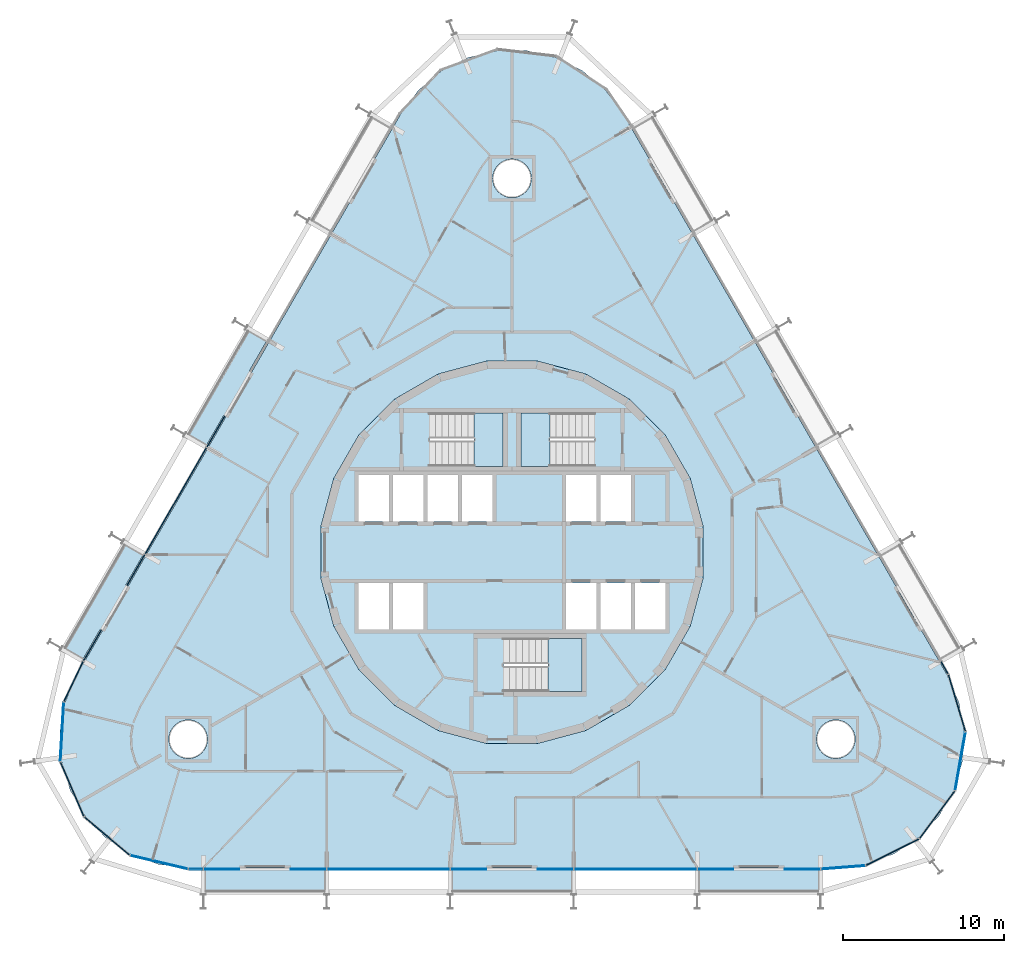
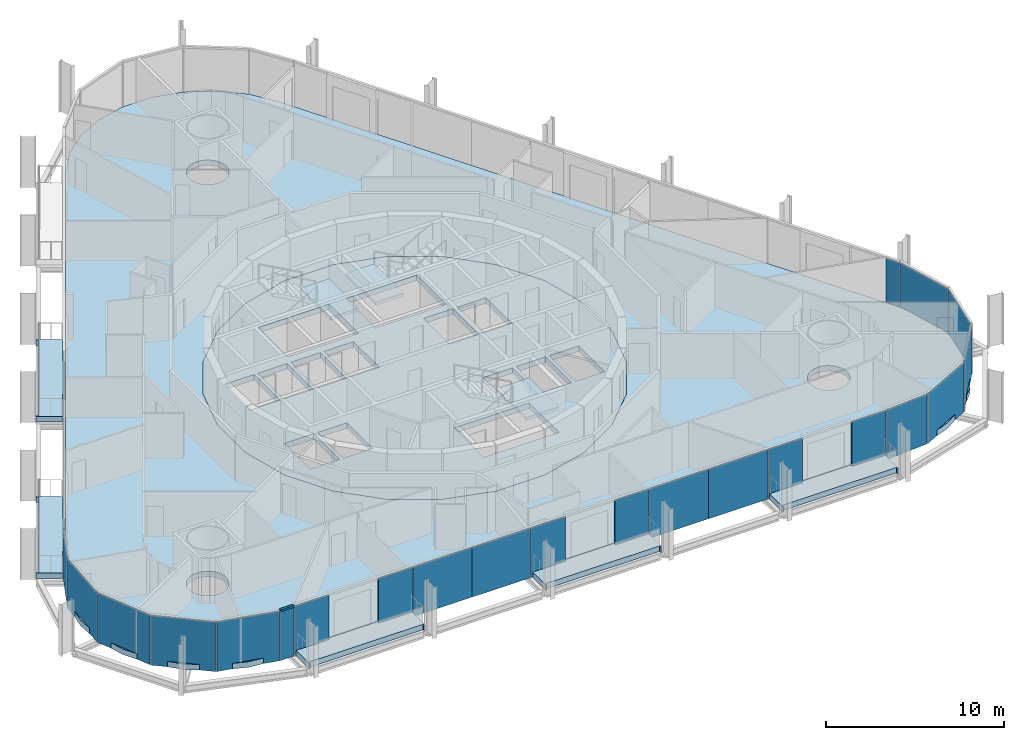
# One storey, part 11 of 21: 27 plates, 10 slabs, 1 member, 7 elements without a shape of their own.
"""IFC4 building model written with IfcOpenShell, lengths in metres."""

from ifc_helpers import new_model, si_unit, direction, frame, origin, origin_2d, place, context, subcontext, project, spatial, polyline, rectangle, outline, extrude, material, layer, layer_set, material_profile, profile_set, type_object, element, aggregate, save


model = new_model("IFC4")

# Units and contexts
model_context = context("Model", 3, precision=1e-05, world=origin(), true_north=direction((0.0, 1.0)))
body_context = subcontext(model_context, "Body", "Model", "MODEL_VIEW")
ifc_project = project(units=[si_unit("LENGTHUNIT", "METRE"), si_unit("AREAUNIT", "SQUARE_METRE"), si_unit("VOLUMEUNIT", "CUBIC_METRE"), si_unit("PLANEANGLEUNIT", "RADIAN"), si_unit("MASSUNIT", "GRAM", prefix="KILO")], contexts=[model_context])

# Site, building, storey
site_placement = place(None, origin())
site = spatial("IfcSite", under=ifc_project, at=site_placement, CompositionType="ELEMENT")
building_placement = place(site_placement, origin())
building = spatial("IfcBuilding", under=site, at=building_placement, Name="Spindle Arch Residences", CompositionType="ELEMENT")
storey_placement = place(building_placement, frame((0.0, 0.0, 62.89990234375)))
storey = spatial("IfcBuildingStorey", under=building, at=storey_placement, Name="L14", CompositionType="ELEMENT", Elevation=62.89990234375)

# Curtain wall, member
ifc_material_1 = material(Name="Aluminium bronze unitised frame with tinted glass", Category="aluminium")
ifc_layer_1 = layer(ifc_material_1, 0.159912109375)
ifc_layer_set_1 = layer_set([ifc_layer_1], Name="CW-D corner wall on the fillet arcs")
curtain_wall_type_1 = type_object("IfcCurtainWallType", Name="CW-D corner wall on the fillet arcs", PredefinedType="NOTDEFINED", material=ifc_layer_set_1)
curtain_wall_1_placement = place(storey_placement, origin())
curtain_wall_1 = element("IfcCurtainWall", 1, at=curtain_wall_1_placement, inside=storey, type_object=curtain_wall_type_1, Name="CW-D L14 run 5", PredefinedType="NOTDEFINED")
ifc_material_2 = material(Name="Aluminium bronze anodised transom", Category="aluminium")
ifc_material_profile = material_profile(ifc_material_2, rectangle(XDim=0.159912109375, YDim=0.1201171875, at=origin_2d()), Name="TR 120x160")
ifc_profile_set = profile_set([ifc_material_profile], Name="Aluminium bronze anodised transom")
member_type = type_object("IfcMemberType", Name="Bronze transom 120x160", PredefinedType="USERDEFINED", material=ifc_profile_set)
member_placement = place(storey_placement, frame((-20.113525390625, -19.7099609375, 3.06005859375), z_axis=(1.0, 0.0, 0.0), x_axis=(0.0, 1.0, 0.0)))
member = element("IfcMember", 2, at=member_placement, type_object=member_type, Name="CW-D transom 05", ObjectType="TRANSOM", PredefinedType="USERDEFINED", context=body_context, shape_type="SweptSolid", body=[
    extrude(rectangle(XDim=0.159912109375, YDim=0.1201171875, at=origin_2d()), origin(), (0.0, 0.0, 1.0), 0.88330078125),
])

# Slabs
ifc_material_3 = material(Name="Concrete C40/50", Category="concrete")
ifc_layer_2 = layer(ifc_material_3, 0.3798828125)
ifc_layer_set_2 = layer_set([ifc_layer_2], Name="Balcony slab 380")
slab_type_1 = type_object("IfcSlabType", Name="Balcony slab 380", PredefinedType="FLOOR", material=ifc_layer_set_2)
slab_1_placement = place(storey_placement, frame((0.0, 0.0, -0.3798828125)))
element("IfcSlab", 3, at=slab_1_placement, inside=storey, type_object=slab_type_1, Name="Balcony L14 bay 2", PredefinedType="FLOOR", context=body_context, shape_type="SweptSolid", body=[
    extrude(outline(polyline([(11.59521484375, -21.280029296875), (11.670166015625, -21.280029296875), (11.670166015625, -21.1298828125), (19.05029296875, -21.1298828125), (19.05029296875, -21.280029296875), (19.125244140625, -21.280029296875), (19.125244140625, -19.789794921875), (16.960205078125, -19.789794921875), (16.960205078125, -19.6298828125), (13.76025390625, -19.6298828125), (13.76025390625, -19.789794921875), (11.59521484375, -19.789794921875), (11.59521484375, -21.280029296875)])), origin(), (0.0, 0.0, 1.0), 0.3798828125),
])
slab_2_placement = place(storey_placement, frame((0.0, 0.0, -0.3798828125)))
element("IfcSlab", 4, at=slab_2_placement, inside=storey, type_object=slab_type_1, Name="Balcony L14 bay 16", PredefinedType="FLOOR", context=body_context, shape_type="SweptSolid", body=[
    extrude(outline(polyline([(-16.54638671875, 13.900634765625), (-16.583984375, 13.835693359375), (-16.4541015625, 13.760498046875), (-20.14404296875, 7.369384765625), (-20.27392578125, 7.4443359375), (-20.3115234375, 7.37939453125), (-19.02099609375, 6.63427734375), (-17.9384765625, 8.50927734375), (-17.800048828125, 8.42919921875), (-16.199951171875, 11.20068359375), (-16.338623046875, 11.280517578125), (-15.256103515625, 13.155517578125), (-16.54638671875, 13.900634765625)])), origin(), (0.0, 0.0, 1.0), 0.3798828125),
])
slab_3_placement = place(storey_placement, frame((0.0, 0.0, -0.3798828125)))
element("IfcSlab", 5, at=slab_3_placement, inside=storey, type_object=slab_type_1, Name="Balcony L14 bay 18", PredefinedType="FLOOR", context=body_context, shape_type="SweptSolid", body=[
    extrude(outline(polyline([(-24.2265625, 0.598388671875), (-24.263916015625, 0.533447265625), (-24.134033203125, 0.458251953125), (-27.82421875, -5.93310546875), (-27.9541015625, -5.85791015625), (-27.991455078125, -5.9228515625), (-26.701171875, -6.66796875), (-25.61865234375, -4.79296875), (-25.47998046875, -4.873046875), (-23.880126953125, -2.1015625), (-24.0185546875, -2.021728515625), (-22.93603515625, -0.146728515625), (-24.2265625, 0.598388671875)])), origin(), (0.0, 0.0, 1.0), 0.3798828125),
])
slab_4_placement = place(storey_placement, frame((0.0, 0.0, -0.3798828125)))
element("IfcSlab", 6, at=slab_4_placement, inside=storey, type_object=slab_type_1, Name="Balcony L14 bay 22", PredefinedType="FLOOR", context=body_context, shape_type="SweptSolid", body=[
    extrude(outline(polyline([(-19.125244140625, -21.280029296875), (-19.05029296875, -21.280029296875), (-19.05029296875, -21.1298828125), (-11.670166015625, -21.1298828125), (-11.670166015625, -21.280029296875), (-11.59521484375, -21.280029296875), (-11.59521484375, -19.789794921875), (-13.76025390625, -19.789794921875), (-13.76025390625, -19.6298828125), (-16.960205078125, -19.6298828125), (-16.960205078125, -19.789794921875), (-19.125244140625, -19.789794921875), (-19.125244140625, -21.280029296875)])), origin(), (0.0, 0.0, 1.0), 0.3798828125),
])
slab_5_placement = place(storey_placement, frame((0.0, 0.0, -0.3798828125)))
element("IfcSlab", 7, at=slab_5_placement, inside=storey, type_object=slab_type_1, Name="Balcony L14 bay 24", PredefinedType="FLOOR", context=body_context, shape_type="SweptSolid", body=[
    extrude(outline(polyline([(-3.76513671875, -21.280029296875), (-3.68994140625, -21.280029296875), (-3.68994140625, -21.1298828125), (3.68994140625, -21.1298828125), (3.68994140625, -21.280029296875), (3.76513671875, -21.280029296875), (3.76513671875, -19.789794921875), (1.60009765625, -19.789794921875), (1.60009765625, -19.6298828125), (-1.60009765625, -19.6298828125), (-1.60009765625, -19.789794921875), (-3.76513671875, -19.789794921875), (-3.76513671875, -21.280029296875)])), origin(), (0.0, 0.0, 1.0), 0.3798828125),
])
ifc_material_4 = material(Name="Concrete C50/60", Category="concrete")
ifc_layer_3 = layer(ifc_material_4, 0.3798828125)
ifc_layer_set_3 = layer_set([ifc_layer_3], Name="Core floor slab 380")
slab_type_2 = type_object("IfcSlabType", Name="Core floor slab 380", PredefinedType="FLOOR", material=ifc_layer_set_3)
slab_6_placement = place(storey_placement, frame((0.0, 0.0, -0.3798828125)))
element("IfcSlab", 8, at=slab_6_placement, inside=storey, type_object=slab_type_2, Name="Core floor L14", PredefinedType="FLOOR", context=body_context, shape_type="SweptSolid", body=[
    extrude(outline(polyline([(1.56640625, -11.897216796875), (4.59228515625, -11.086669921875), (7.30517578125, -9.520263671875), (9.520263671875, -7.30517578125), (11.086669921875, -4.59228515625), (11.897216796875, -1.56640625), (11.897216796875, 1.56640625), (11.086669921875, 4.59228515625), (9.520263671875, 7.30517578125), (7.30517578125, 9.520263671875), (4.59228515625, 11.086669921875), (1.56640625, 11.897216796875), (-1.56640625, 11.897216796875), (-4.59228515625, 11.086669921875), (-7.30517578125, 9.520263671875), (-9.520263671875, 7.30517578125), (-11.086669921875, 4.59228515625), (-11.897216796875, 1.56640625), (-11.897216796875, -1.56640625), (-11.086669921875, -4.59228515625), (-9.520263671875, -7.30517578125), (-7.30517578125, -9.520263671875), (-4.59228515625, -11.086669921875), (-1.56640625, -11.897216796875), (1.56640625, -11.897216796875)]), holes=[polyline([(-9.550048828125, 1.89990234375), (-7.64990234375, 1.89990234375), (-7.64990234375, 4.800048828125), (-9.550048828125, 4.800048828125), (-9.550048828125, 1.89990234375)]), polyline([(-7.39990234375, 1.89990234375), (-5.5, 1.89990234375), (-5.5, 4.800048828125), (-7.39990234375, 4.800048828125), (-7.39990234375, 1.89990234375)]), polyline([(-5.25, 1.89990234375), (-3.35009765625, 1.89990234375), (-3.35009765625, 4.800048828125), (-5.25, 4.800048828125), (-5.25, 1.89990234375)]), polyline([(-3.10009765625, 1.89990234375), (-1.199951171875, 1.89990234375), (-1.199951171875, 4.800048828125), (-3.10009765625, 4.800048828125), (-3.10009765625, 1.89990234375)]), polyline([(3.35009765625, 1.89990234375), (5.25, 1.89990234375), (5.25, 4.800048828125), (3.35009765625, 4.800048828125), (3.35009765625, 1.89990234375)]), polyline([(5.5, 1.89990234375), (7.39990234375, 1.89990234375), (7.39990234375, 4.800048828125), (5.5, 4.800048828125), (5.5, 1.89990234375)]), polyline([(-9.550048828125, -4.800048828125), (-7.64990234375, -4.800048828125), (-7.64990234375, -1.89990234375), (-9.550048828125, -1.89990234375), (-9.550048828125, -4.800048828125)]), polyline([(-7.39990234375, -4.800048828125), (-5.5, -4.800048828125), (-5.5, -1.89990234375), (-7.39990234375, -1.89990234375), (-7.39990234375, -4.800048828125)]), polyline([(3.35009765625, -4.800048828125), (5.25, -4.800048828125), (5.25, -1.89990234375), (3.35009765625, -1.89990234375), (3.35009765625, -4.800048828125)]), polyline([(5.5, -4.800048828125), (7.39990234375, -4.800048828125), (7.39990234375, -1.89990234375), (5.5, -1.89990234375), (5.5, -4.800048828125)]), polyline([(7.64990234375, -4.800048828125), (9.550048828125, -4.800048828125), (9.550048828125, -1.89990234375), (7.64990234375, -1.89990234375), (7.64990234375, -4.800048828125)]), polyline([(5.1298828125, 8.669921875), (0.550048828125, 8.669921875), (0.550048828125, 5.35009765625), (5.1298828125, 5.35009765625), (5.1298828125, 8.669921875)]), polyline([(-5.1298828125, 5.35009765625), (-0.550048828125, 5.35009765625), (-0.550048828125, 8.669921875), (-5.1298828125, 8.669921875), (-5.1298828125, 5.35009765625)]), polyline([(-0.530029296875, -8.669921875), (4.35009765625, -8.669921875), (4.35009765625, -5.35009765625), (-0.530029296875, -5.35009765625), (-0.530029296875, -8.669921875)])]), origin(), (0.0, 0.0, 1.0), 0.3798828125),
])

# Stair, slab
ifc_material_5 = material(Name="Concrete C50/60", Category="concrete")
stair_type = type_object("IfcStairType", Name="Exit stair 16 risers", PredefinedType="HALF_TURN_STAIR", material=ifc_material_5)
stair_1_placement = place(storey_placement, origin())
stair_1 = element("IfcStair", 9, at=stair_1_placement, inside=storey, type_object=stair_type, Name="L14 Exit stair ST1", PredefinedType="HALF_TURN_STAIR")
ifc_material_6 = material(Name="Concrete C50/60", Category="concrete")
ifc_layer_4 = layer(ifc_material_6, 0.219970703125)
ifc_layer_set_4 = layer_set([ifc_layer_4], Name="Exit stair landing 220")
slab_type_3 = type_object("IfcSlabType", Name="Exit stair landing 220", PredefinedType="LANDING", material=ifc_layer_set_4)
slab_7_placement = place(storey_placement, frame((0.0, 0.0, 1.530029296875)))
slab_7 = element("IfcSlab", 10, at=slab_7_placement, type_object=slab_type_3, Name="ST1 landing 1", PredefinedType="LANDING", context=body_context, shape_type="SweptSolid", body=[
    extrude(outline(polyline([(2.3701171875, 8.669921875), (0.550048828125, 8.669921875), (0.550048828125, 5.35009765625), (2.3701171875, 5.35009765625), (2.3701171875, 8.669921875)])), origin(), (0.0, 0.0, 1.0), 0.219970703125),
])
aggregate(stair_1, [slab_7])

stair_2_placement = place(storey_placement, origin())
stair_2 = element("IfcStair", 11, at=stair_2_placement, inside=storey, type_object=stair_type, Name="L14 Exit stair ST2", PredefinedType="HALF_TURN_STAIR")
slab_8_placement = place(storey_placement, frame((0.0, 0.0, 1.530029296875)))
slab_8 = element("IfcSlab", 12, at=slab_8_placement, type_object=slab_type_3, Name="ST2 landing 1", PredefinedType="LANDING", context=body_context, shape_type="SweptSolid", body=[
    extrude(outline(polyline([(-2.3701171875, 5.35009765625), (-0.550048828125, 5.35009765625), (-0.550048828125, 8.669921875), (-2.3701171875, 8.669921875), (-2.3701171875, 5.35009765625)])), origin(), (0.0, 0.0, 1.0), 0.219970703125),
])
aggregate(stair_2, [slab_8])

stair_3_placement = place(storey_placement, origin())
stair_3 = element("IfcStair", 13, at=stair_3_placement, inside=storey, type_object=stair_type, Name="L14 Exit stair ST3", PredefinedType="HALF_TURN_STAIR")
slab_9_placement = place(storey_placement, frame((0.0, 0.0, 1.530029296875)))
slab_9 = element("IfcSlab", 14, at=slab_9_placement, type_object=slab_type_3, Name="ST3 landing 1", PredefinedType="LANDING", context=body_context, shape_type="SweptSolid", body=[
    extrude(outline(polyline([(2.22998046875, -8.669921875), (4.35009765625, -8.669921875), (4.35009765625, -5.35009765625), (2.22998046875, -5.35009765625), (2.22998046875, -8.669921875)])), origin(), (0.0, 0.0, 1.0), 0.219970703125),
])
aggregate(stair_3, [slab_9])

# Slab
ifc_material_7 = material(Name="Concrete C40/50", Category="concrete")
ifc_layer_5 = layer(ifc_material_7, 0.3798828125)
ifc_layer_set_5 = layer_set([ifc_layer_5], Name="Floor slab 380")
slab_type_4 = type_object("IfcSlabType", Name="Floor slab 380", PredefinedType="FLOOR", material=ifc_layer_set_5)
slab_10_placement = place(storey_placement, frame((0.0, 0.0, -0.3798828125)))
element("IfcSlab", 15, at=slab_10_placement, inside=storey, type_object=slab_type_4, Name="Floor slab L14", PredefinedType="FLOOR", context=body_context, shape_type="SweptSolid", body=[
    extrude(outline(polyline([(-21.988525390625, -19.414306640625), (-23.73388671875, -18.779052734375), (-25.285888671875, -17.75830078125), (-26.560546875, -16.4072265625), (-27.4892578125, -14.798583984375), (-28.022216796875, -13.01904296875), (-28.130126953125, -11.164794921875), (-27.8076171875, -9.33544921875), (-27.07177734375, -7.6298828125), (-6.92822265625, 27.259765625), (-5.819091796875, 28.749755859375), (-4.39599609375, 29.943603515625), (-2.736083984375, 30.77734375), (-0.9287109375, 31.205810546875), (0.9287109375, 31.205810546875), (2.736083984375, 30.77734375), (4.39599609375, 29.943603515625), (5.819091796875, 28.749755859375), (6.92822265625, 27.259765625), (27.07177734375, -7.6298828125), (27.8076171875, -9.33544921875), (28.130126953125, -11.164794921875), (28.022216796875, -13.01904296875), (27.4892578125, -14.798583984375), (26.560546875, -16.4072265625), (25.285888671875, -17.75830078125), (23.73388671875, -18.779052734375), (21.988525390625, -19.414306640625), (20.1435546875, -19.6298828125), (0.0, -19.6298828125), (-20.1435546875, -19.6298828125), (-21.988525390625, -19.414306640625)]), holes=[polyline([(7.30517578125, -9.520263671875), (9.520263671875, -7.30517578125), (11.086669921875, -4.59228515625), (11.897216796875, -1.56640625), (11.897216796875, 1.56640625), (11.086669921875, 4.59228515625), (9.520263671875, 7.30517578125), (7.30517578125, 9.520263671875), (4.59228515625, 11.086669921875), (1.56640625, 11.897216796875), (-1.56640625, 11.897216796875), (-4.59228515625, 11.086669921875), (-7.30517578125, 9.520263671875), (-9.520263671875, 7.30517578125), (-11.086669921875, 4.59228515625), (-11.897216796875, 1.56640625), (-11.897216796875, -1.56640625), (-11.086669921875, -4.59228515625), (-9.520263671875, -7.30517578125), (-7.30517578125, -9.520263671875), (-4.59228515625, -11.086669921875), (-1.56640625, -11.897216796875), (1.56640625, -11.897216796875), (4.59228515625, -11.086669921875), (7.30517578125, -9.520263671875)]), polyline([(-19.295166015625, -12.478515625), (-19.145751953125, -12.296630859375), (-19.034912109375, -12.089111328125), (-18.966796875, -11.864013671875), (-18.943603515625, -11.6298828125), (-18.966796875, -11.395751953125), (-19.034912109375, -11.170654296875), (-19.145751953125, -10.963134765625), (-19.295166015625, -10.781494140625), (-19.476806640625, -10.632080078125), (-19.684326171875, -10.521240234375), (-19.909423828125, -10.452880859375), (-20.1435546875, -10.429931640625), (-20.377685546875, -10.452880859375), (-20.602783203125, -10.521240234375), (-20.810302734375, -10.632080078125), (-20.9921875, -10.781494140625), (-21.141357421875, -10.963134765625), (-21.252197265625, -11.170654296875), (-21.320556640625, -11.395751953125), (-21.343505859375, -11.6298828125), (-21.320556640625, -11.864013671875), (-21.252197265625, -12.089111328125), (-21.141357421875, -12.296630859375), (-20.9921875, -12.478515625), (-20.810302734375, -12.627685546875), (-20.602783203125, -12.738525390625), (-20.377685546875, -12.806884765625), (-20.1435546875, -12.829833984375), (-19.909423828125, -12.806884765625), (-19.684326171875, -12.738525390625), (-19.476806640625, -12.627685546875), (-19.295166015625, -12.478515625)]), polyline([(0.848388671875, 22.411376953125), (0.997802734375, 22.593017578125), (1.108642578125, 22.800537109375), (1.177001953125, 23.025634765625), (1.199951171875, 23.259765625), (1.177001953125, 23.493896484375), (1.108642578125, 23.718994140625), (0.997802734375, 23.926513671875), (0.848388671875, 24.1083984375), (0.666748046875, 24.257568359375), (0.459228515625, 24.368408203125), (0.234130859375, 24.436767578125), (0.0, 24.459716796875), (-0.234130859375, 24.436767578125), (-0.459228515625, 24.368408203125), (-0.666748046875, 24.257568359375), (-0.848388671875, 24.1083984375), (-0.997802734375, 23.926513671875), (-1.108642578125, 23.718994140625), (-1.177001953125, 23.493896484375), (-1.199951171875, 23.259765625), (-1.177001953125, 23.025634765625), (-1.108642578125, 22.800537109375), (-0.997802734375, 22.593017578125), (-0.848388671875, 22.411376953125), (-0.666748046875, 22.261962890625), (-0.459228515625, 22.151123046875), (-0.234130859375, 22.0830078125), (0.0, 22.059814453125), (0.234130859375, 22.0830078125), (0.459228515625, 22.151123046875), (0.666748046875, 22.261962890625), (0.848388671875, 22.411376953125)]), polyline([(20.9921875, -12.478515625), (21.141357421875, -12.296630859375), (21.252197265625, -12.089111328125), (21.320556640625, -11.864013671875), (21.343505859375, -11.6298828125), (21.320556640625, -11.395751953125), (21.252197265625, -11.170654296875), (21.141357421875, -10.963134765625), (20.9921875, -10.781494140625), (20.810302734375, -10.632080078125), (20.602783203125, -10.521240234375), (20.377685546875, -10.452880859375), (20.1435546875, -10.429931640625), (19.909423828125, -10.452880859375), (19.684326171875, -10.521240234375), (19.476806640625, -10.632080078125), (19.295166015625, -10.781494140625), (19.145751953125, -10.963134765625), (19.034912109375, -11.170654296875), (18.966796875, -11.395751953125), (18.943603515625, -11.6298828125), (18.966796875, -11.864013671875), (19.034912109375, -12.089111328125), (19.145751953125, -12.296630859375), (19.295166015625, -12.478515625), (19.476806640625, -12.627685546875), (19.684326171875, -12.738525390625), (19.909423828125, -12.806884765625), (20.1435546875, -12.829833984375), (20.377685546875, -12.806884765625), (20.602783203125, -12.738525390625), (20.810302734375, -12.627685546875), (20.9921875, -12.478515625)])]), origin(), (0.0, 0.0, 1.0), 0.3798828125),
])

# Curtain wall, plates
curtain_wall_2_placement = place(storey_placement, origin())
curtain_wall_2 = element("IfcCurtainWall", 16, at=curtain_wall_2_placement, inside=storey, type_object=curtain_wall_type_1, Name="CW-D L14 run 1", PredefinedType="NOTDEFINED")
ifc_material_8 = material(Name="Tinted double glazing over aluminium faced non-combustible spandrel zone (K0)", Category="aluminium")
ifc_layer_6 = layer(ifc_material_8, 0.06005859375)
ifc_layer_set_6 = layer_set([ifc_layer_6], Name="Unitised glass panel with E 60 spandrel zone")
plate_type = type_object("IfcPlateType", Name="Unitised glass panel with E 60 spandrel zone", PredefinedType="CURTAIN_PANEL", material=ifc_layer_set_6)
plate_1_placement = place(storey_placement, frame((20.603515625, -19.60107421875, -0.3798828125), z_axis=(0.0, 0.0, 1.0), x_axis=(0.997002907861, 0.077364085451, 0.0)))
plate_1 = element("IfcPlate", 17, at=plate_1_placement, type_object=plate_type, Name="CW-D unit 00", PredefinedType="CURTAIN_PANEL", context=body_context, shape_type="SweptSolid", body=[
    extrude(rectangle(XDim=2.755126953125, YDim=0.06005859375, at=origin_2d()), origin(), (0.0, 0.0, 1.0), 3.3798828125),
])
plate_2_placement = place(storey_placement, frame((23.672119140625, -18.65576171875, -0.3798828125), z_axis=(0.0, 0.0, 1.0), x_axis=(0.893632642326, 0.448799176213, 0.0)))
plate_2 = element("IfcPlate", 18, at=plate_2_placement, type_object=plate_type, Name="CW-D unit 01", PredefinedType="CURTAIN_PANEL", context=body_context, shape_type="SweptSolid", body=[
    extrude(rectangle(XDim=3.666748046875, YDim=0.06005859375, at=origin_2d()), origin(), (0.0, 0.0, 1.0), 3.3798828125),
])
plate_3_placement = place(storey_placement, frame((26.449951171875, -16.324951171875, -0.3798828125), z_axis=(0.0, 0.0, 1.0), x_axis=(0.597158595823, 0.802123189687, 0.0)))
plate_3 = element("IfcPlate", 19, at=plate_3_placement, type_object=plate_type, Name="CW-D unit 02", PredefinedType="CURTAIN_PANEL", context=body_context, shape_type="SweptSolid", body=[
    extrude(rectangle(XDim=3.666748046875, YDim=0.06005859375, at=origin_2d()), origin(), (0.0, 0.0, 1.0), 3.3798828125),
])
plate_4_placement = place(storey_placement, frame((27.88623046875, -12.9951171875, -0.3798828125), z_axis=(0.0, 0.0, 1.0), x_axis=(0.173648181019, 0.984807752421, 0.0)))
plate_4 = element("IfcPlate", 20, at=plate_4_placement, type_object=plate_type, Name="CW-D unit 03", PredefinedType="CURTAIN_PANEL", context=body_context, shape_type="SweptSolid", body=[
    extrude(rectangle(XDim=3.666748046875, YDim=0.06005859375, at=origin_2d()), origin(), (0.0, 0.0, 1.0), 3.3798828125),
])
plate_5_placement = place(storey_placement, frame((27.675537109375, -9.375, -0.3798828125), z_axis=(0.0, 0.0, 1.0), x_axis=(-0.28680323051, 0.957989512975, 0.0)))
plate_5 = element("IfcPlate", 21, at=plate_5_placement, type_object=plate_type, Name="CW-D unit 04", PredefinedType="CURTAIN_PANEL", context=body_context, shape_type="SweptSolid", body=[
    extrude(rectangle(XDim=3.666748046875, YDim=0.06005859375, at=origin_2d()), origin(), (0.0, 0.0, 1.0), 3.3798828125),
])
plate_6_placement = place(storey_placement, frame((26.9052734375, -7.181396484375, -0.3798828125), z_axis=(0.0, 0.0, 1.0), x_axis=(-0.5, 0.866025403784, 0.0)))
plate_6 = element("IfcPlate", 22, at=plate_6_placement, type_object=plate_type, Name="CW-D unit 05", PredefinedType="CURTAIN_PANEL", context=body_context, shape_type="SweptSolid", body=[
    extrude(rectangle(XDim=0.88330078125, YDim=0.06005859375, at=origin_2d()), origin(), (0.0, 0.0, 1.0), 3.3798828125),
])
aggregate(curtain_wall_2, [plate_1, plate_2, plate_3, plate_4, plate_5, plate_6])

ifc_material_9 = material(Name="Aluminium bronze unitised frame with tinted glass", Category="aluminium")
ifc_layer_7 = layer(ifc_material_9, 0.159912109375)
ifc_layer_set_7 = layer_set([ifc_layer_7], Name="CW-C typical residential unitised wall")
curtain_wall_type_2 = type_object("IfcCurtainWallType", Name="CW-C typical residential unitised wall", PredefinedType="NOTDEFINED", material=ifc_layer_set_7)
curtain_wall_3_placement = place(storey_placement, origin())
curtain_wall_3 = element("IfcCurtainWall", 23, at=curtain_wall_3_placement, inside=storey, type_object=curtain_wall_type_2, Name="CW-C L14 run 4", PredefinedType="NOTDEFINED")
plate_7_placement = place(storey_placement, frame((-18.421875, 7.512451171875, -0.3798828125), z_axis=(0.0, 0.0, 1.0), x_axis=(-0.5, -0.866025403784, 0.0)))
plate_7 = element("IfcPlate", 24, at=plate_7_placement, type_object=plate_type, Name="CW-C unit 15R", PredefinedType="CURTAIN_PANEL", context=body_context, shape_type="SweptSolid", body=[
    extrude(rectangle(XDim=2.2099609375, YDim=0.06005859375, at=origin_2d()), origin(), (0.0, 0.0, 1.0), 3.3798828125),
])
plate_8_placement = place(storey_placement, frame((-19.956787109375, 4.853515625, -0.3798828125), z_axis=(0.0, 0.0, 1.0), x_axis=(-0.5, -0.866025403784, 0.0)))
plate_8 = element("IfcPlate", 25, at=plate_8_placement, type_object=plate_type, Name="CW-C unit 16A", PredefinedType="CURTAIN_PANEL", context=body_context, shape_type="SweptSolid", body=[
    extrude(rectangle(XDim=3.81005859375, YDim=0.06005859375, at=origin_2d()), origin(), (0.0, 0.0, 1.0), 3.3798828125),
])
plate_9_placement = place(storey_placement, frame((-21.86181640625, 1.553955078125, -0.3798828125), z_axis=(0.0, 0.0, 1.0), x_axis=(-0.5, -0.866025403784, 0.0)))
plate_9 = element("IfcPlate", 26, at=plate_9_placement, type_object=plate_type, Name="CW-C unit 16B", PredefinedType="CURTAIN_PANEL", context=body_context, shape_type="SweptSolid", body=[
    extrude(rectangle(XDim=3.81005859375, YDim=0.06005859375, at=origin_2d()), origin(), (0.0, 0.0, 1.0), 3.3798828125),
])
plate_10_placement = place(storey_placement, frame((-23.396728515625, -1.104736328125, -0.3798828125), z_axis=(0.0, 0.0, 1.0), x_axis=(-0.5, -0.866025403784, 0.0)))
plate_10 = element("IfcPlate", 27, at=plate_10_placement, type_object=plate_type, Name="CW-C unit 17L", PredefinedType="CURTAIN_PANEL", context=body_context, shape_type="SweptSolid", body=[
    extrude(rectangle(XDim=2.2099609375, YDim=0.06005859375, at=origin_2d()), origin(), (0.0, 0.0, 1.0), 3.3798828125),
])
plate_11_placement = place(storey_placement, frame((-26.101806640625, -5.7900390625, -0.3798828125), z_axis=(0.0, 0.0, 1.0), x_axis=(-0.5, -0.866025403784, 0.0)))
plate_11 = element("IfcPlate", 28, at=plate_11_placement, type_object=plate_type, Name="CW-C unit 17R", PredefinedType="CURTAIN_PANEL", context=body_context, shape_type="SweptSolid", body=[
    extrude(rectangle(XDim=2.2099609375, YDim=0.06005859375, at=origin_2d()), origin(), (0.0, 0.0, 1.0), 3.3798828125),
])
aggregate(curtain_wall_3, [plate_7, plate_8, plate_9, plate_10, plate_11])

# Plate
plate_12_placement = place(storey_placement, frame((-27.27685546875, -8.042724609375, -0.3798828125), z_axis=(0.0, 0.0, 1.0), x_axis=(-0.431502189519, -0.902111889092, 0.0)))
plate_12 = element("IfcPlate", 29, at=plate_12_placement, type_object=plate_type, Name="CW-D unit 00", PredefinedType="CURTAIN_PANEL", context=body_context, shape_type="SweptSolid", body=[
    extrude(rectangle(XDim=2.755126953125, YDim=0.06005859375, at=origin_2d()), origin(), (0.0, 0.0, 1.0), 3.3798828125),
])

plate_13_placement = place(storey_placement, frame((-27.992431640625, -11.1728515625, -0.3798828125), z_axis=(0.0, 0.0, 1.0), x_axis=(-0.058144829968, -0.99830815821, 0.0)))
plate_13 = element("IfcPlate", 30, at=plate_13_placement, type_object=plate_type, Name="CW-D unit 01", PredefinedType="CURTAIN_PANEL", context=body_context, shape_type="SweptSolid", body=[
    extrude(rectangle(XDim=3.666748046875, YDim=0.06005859375, at=origin_2d()), origin(), (0.0, 0.0, 1.0), 3.3798828125),
])

plate_14_placement = place(storey_placement, frame((-27.36279296875, -14.743896484375, -0.3798828125), z_axis=(0.0, 0.0, 1.0), x_axis=(0.396079766691, -0.918216106599, 0.0)))
plate_14 = element("IfcPlate", 31, at=plate_14_placement, type_object=plate_type, Name="CW-D unit 02", PredefinedType="CURTAIN_PANEL", context=body_context, shape_type="SweptSolid", body=[
    extrude(rectangle(XDim=3.666748046875, YDim=0.06005859375, at=origin_2d()), origin(), (0.0, 0.0, 1.0), 3.3798828125),
])

plate_15_placement = place(storey_placement, frame((-25.197265625, -17.652587890625, -0.3798828125), z_axis=(0.0, 0.0, 1.0), x_axis=(0.766044445239, -0.64278760716, 0.0)))
plate_15 = element("IfcPlate", 32, at=plate_15_placement, type_object=plate_type, Name="CW-D unit 03", PredefinedType="CURTAIN_PANEL", context=body_context, shape_type="SweptSolid", body=[
    extrude(rectangle(XDim=3.666748046875, YDim=0.06005859375, at=origin_2d()), origin(), (0.0, 0.0, 1.0), 3.3798828125),
])

plate_16_placement = place(storey_placement, frame((-21.956787109375, -19.2802734375, -0.3798828125), z_axis=(0.0, 0.0, 1.0), x_axis=(0.973044871028, -0.230615868852, 0.0)))
plate_16 = element("IfcPlate", 33, at=plate_16_placement, type_object=plate_type, Name="CW-D unit 04", PredefinedType="CURTAIN_PANEL", context=body_context, shape_type="SweptSolid", body=[
    extrude(rectangle(XDim=3.666748046875, YDim=0.06005859375, at=origin_2d()), origin(), (0.0, 0.0, 1.0), 3.3798828125),
])

plate_17_placement = place(storey_placement, frame((-19.671875, -19.7099609375, -0.3798828125), z_axis=(0.0, 0.0, 1.0), x_axis=(1.0, 0.0, 0.0)))
plate_17 = element("IfcPlate", 34, at=plate_17_placement, type_object=plate_type, Name="CW-D unit 05", PredefinedType="CURTAIN_PANEL", context=body_context, shape_type="SweptSolid", body=[
    extrude(rectangle(XDim=0.88330078125, YDim=0.06005859375, at=origin_2d()), origin(), (0.0, 0.0, 1.0), 3.3798828125),
])

aggregate(curtain_wall_1, [plate_12, plate_13, plate_14, plate_15, plate_16, member, plate_17])

# Curtain wall, plates
curtain_wall_4_placement = place(storey_placement, origin())
curtain_wall_4 = element("IfcCurtainWall", 35, at=curtain_wall_4_placement, inside=storey, type_object=curtain_wall_type_2, Name="CW-C L14 run 6", PredefinedType="NOTDEFINED")
plate_18_placement = place(storey_placement, frame((-18.065185546875, -19.7099609375, -0.3798828125), z_axis=(0.0, 0.0, 1.0), x_axis=(1.0, 0.0, 0.0)))
plate_18 = element("IfcPlate", 36, at=plate_18_placement, type_object=plate_type, Name="CW-C unit 21L", PredefinedType="CURTAIN_PANEL", context=body_context, shape_type="SweptSolid", body=[
    extrude(rectangle(XDim=2.2099609375, YDim=0.06005859375, at=origin_2d()), origin(), (0.0, 0.0, 1.0), 3.3798828125),
])
plate_19_placement = place(storey_placement, frame((-12.655029296875, -19.7099609375, -0.3798828125), z_axis=(0.0, 0.0, 1.0), x_axis=(1.0, 0.0, 0.0)))
plate_19 = element("IfcPlate", 37, at=plate_19_placement, type_object=plate_type, Name="CW-C unit 21R", PredefinedType="CURTAIN_PANEL", context=body_context, shape_type="SweptSolid", body=[
    extrude(rectangle(XDim=2.2099609375, YDim=0.06005859375, at=origin_2d()), origin(), (0.0, 0.0, 1.0), 3.3798828125),
])
plate_20_placement = place(storey_placement, frame((-9.585205078125, -19.7099609375, -0.3798828125), z_axis=(0.0, 0.0, 1.0), x_axis=(1.0, 0.0, 0.0)))
plate_20 = element("IfcPlate", 38, at=plate_20_placement, type_object=plate_type, Name="CW-C unit 22A", PredefinedType="CURTAIN_PANEL", context=body_context, shape_type="SweptSolid", body=[
    extrude(rectangle(XDim=3.81005859375, YDim=0.06005859375, at=origin_2d()), origin(), (0.0, 0.0, 1.0), 3.3798828125),
])
plate_21_placement = place(storey_placement, frame((-5.775146484375, -19.7099609375, -0.3798828125), z_axis=(0.0, 0.0, 1.0), x_axis=(1.0, 0.0, 0.0)))
plate_21 = element("IfcPlate", 39, at=plate_21_placement, type_object=plate_type, Name="CW-C unit 22B", PredefinedType="CURTAIN_PANEL", context=body_context, shape_type="SweptSolid", body=[
    extrude(rectangle(XDim=3.81005859375, YDim=0.06005859375, at=origin_2d()), origin(), (0.0, 0.0, 1.0), 3.3798828125),
])
plate_22_placement = place(storey_placement, frame((-2.705078125, -19.7099609375, -0.3798828125), z_axis=(0.0, 0.0, 1.0), x_axis=(1.0, 0.0, 0.0)))
plate_22 = element("IfcPlate", 40, at=plate_22_placement, type_object=plate_type, Name="CW-C unit 23L", PredefinedType="CURTAIN_PANEL", context=body_context, shape_type="SweptSolid", body=[
    extrude(rectangle(XDim=2.2099609375, YDim=0.06005859375, at=origin_2d()), origin(), (0.0, 0.0, 1.0), 3.3798828125),
])
plate_23_placement = place(storey_placement, frame((2.705078125, -19.7099609375, -0.3798828125), z_axis=(0.0, 0.0, 1.0), x_axis=(1.0, 0.0, 0.0)))
plate_23 = element("IfcPlate", 41, at=plate_23_placement, type_object=plate_type, Name="CW-C unit 23R", PredefinedType="CURTAIN_PANEL", context=body_context, shape_type="SweptSolid", body=[
    extrude(rectangle(XDim=2.2099609375, YDim=0.06005859375, at=origin_2d()), origin(), (0.0, 0.0, 1.0), 3.3798828125),
])
plate_24_placement = place(storey_placement, frame((5.775146484375, -19.7099609375, -0.3798828125), z_axis=(0.0, 0.0, 1.0), x_axis=(1.0, 0.0, 0.0)))
plate_24 = element("IfcPlate", 42, at=plate_24_placement, type_object=plate_type, Name="CW-C unit 00A", PredefinedType="CURTAIN_PANEL", context=body_context, shape_type="SweptSolid", body=[
    extrude(rectangle(XDim=3.81005859375, YDim=0.06005859375, at=origin_2d()), origin(), (0.0, 0.0, 1.0), 3.3798828125),
])
plate_25_placement = place(storey_placement, frame((9.585205078125, -19.7099609375, -0.3798828125), z_axis=(0.0, 0.0, 1.0), x_axis=(1.0, 0.0, 0.0)))
plate_25 = element("IfcPlate", 43, at=plate_25_placement, type_object=plate_type, Name="CW-C unit 00B", PredefinedType="CURTAIN_PANEL", context=body_context, shape_type="SweptSolid", body=[
    extrude(rectangle(XDim=3.81005859375, YDim=0.06005859375, at=origin_2d()), origin(), (0.0, 0.0, 1.0), 3.3798828125),
])
plate_26_placement = place(storey_placement, frame((12.655029296875, -19.7099609375, -0.3798828125), z_axis=(0.0, 0.0, 1.0), x_axis=(1.0, 0.0, 0.0)))
plate_26 = element("IfcPlate", 44, at=plate_26_placement, type_object=plate_type, Name="CW-C unit 01L", PredefinedType="CURTAIN_PANEL", context=body_context, shape_type="SweptSolid", body=[
    extrude(rectangle(XDim=2.2099609375, YDim=0.06005859375, at=origin_2d()), origin(), (0.0, 0.0, 1.0), 3.3798828125),
])
plate_27_placement = place(storey_placement, frame((18.065185546875, -19.7099609375, -0.3798828125), z_axis=(0.0, 0.0, 1.0), x_axis=(1.0, 0.0, 0.0)))
plate_27 = element("IfcPlate", 45, at=plate_27_placement, type_object=plate_type, Name="CW-C unit 01R", PredefinedType="CURTAIN_PANEL", context=body_context, shape_type="SweptSolid", body=[
    extrude(rectangle(XDim=2.2099609375, YDim=0.06005859375, at=origin_2d()), origin(), (0.0, 0.0, 1.0), 3.3798828125),
])
aggregate(curtain_wall_4, [plate_18, plate_19, plate_20, plate_21, plate_22, plate_23, plate_24, plate_25, plate_26, plate_27])

save(model, "model.ifc")
